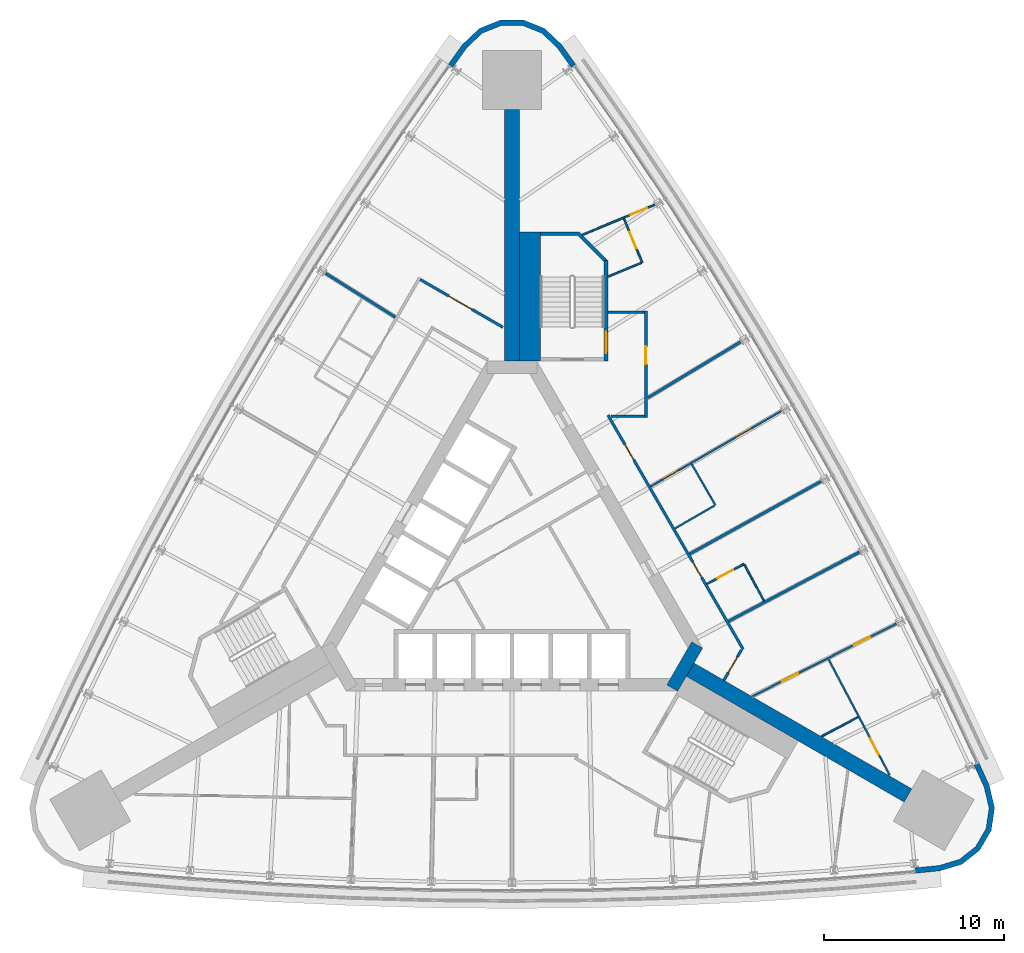
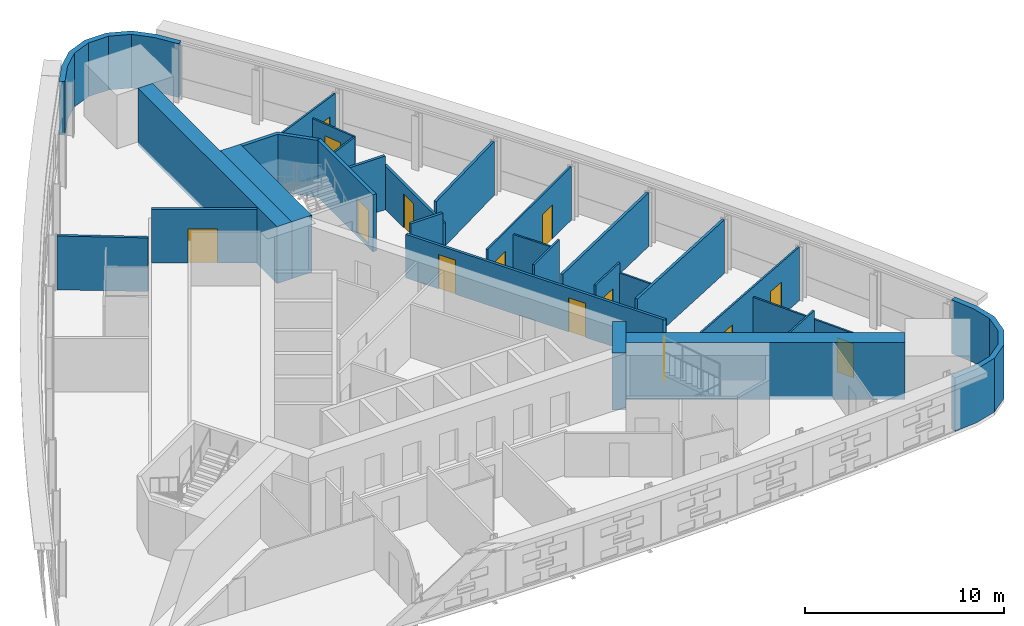
# One storey, part 12 of 15: 29 walls, 14 doors, 14 openings.
"""IFC4 building model written with IfcOpenShell, lengths in metres."""

import ifcopenshell
import ifcopenshell.guid

model = None  # the IFC model being written
_history = None  # IfcOwnerHistory: only IFC2X3 demands one
_inside = {}  # id of a spatial element -> (the spatial element, [elements in it])
_under = {}  # id of a project, library or spatial element -> (it, [spatial elements below it])
_declared = {}  # id of a project -> (the project, [libraries it declares])
_typed = {}  # id of a type object -> (the type object, [elements of that type])
_made_of = {}  # id of a material, layer set ... -> (it, [elements and type objects made of it])


def new_model(schema):
    """Start an empty IFC model of exactly this schema.

    Asked for "IFC4X3", IfcOpenShell would pick the latest addendum, in which some entities
    have other attributes; the version numbers below select the first issue.
    IFC2X3 requires an IfcOwnerHistory on every rooted entity: one is made here for all.
    """
    global model, _history
    if schema == "IFC4X3":
        model = ifcopenshell.file(schema_version=(4, 3, 0, 0))
    else:
        model = ifcopenshell.file(schema=schema)
    _inside.clear()
    _under.clear()
    _declared.clear()
    _typed.clear()
    _made_of.clear()
    _history = None
    if model.schema == "IFC2X3":
        org = make("IfcOrganization", Name="unknown")
        user = make(
            "IfcPersonAndOrganization",
            ThePerson=make("IfcPerson", FamilyName="unknown"),
            TheOrganization=org,
        )
        app = make(
            "IfcApplication",
            ApplicationDeveloper=org,
            Version="unknown",
            ApplicationFullName="unknown",
            ApplicationIdentifier="unknown",
        )
        _history = make(
            "IfcOwnerHistory",
            OwningUser=user,
            OwningApplication=app,
            ChangeAction="ADDED",
            CreationDate=0,
        )
    return model


def make(cls, **values):
    """One entity of the class cls with the attributes given. An attribute that is None is left unset."""
    return model.create_entity(
        cls, **{name: value for name, value in values.items() if value is not None}
    )


def rooted(cls, **values):
    """An entity with a GlobalId (a new one), such as an element, a storey or a relation."""
    return make(cls, GlobalId=ifcopenshell.guid.new(), OwnerHistory=_history, **values)


def si_unit(unit_type, name, prefix=None):
    """IfcSIUnit, for example si_unit("LENGTHUNIT", "METRE", prefix="MILLI")."""
    return make("IfcSIUnit", UnitType=unit_type, Prefix=prefix, Name=name)


def assignment(units):
    """IfcUnitAssignment: the units of a project."""
    return None if units is None else make("IfcUnitAssignment", Units=units)


def point(xyz):
    """IfcCartesianPoint."""
    return None if xyz is None else make("IfcCartesianPoint", Coordinates=xyz)


def direction(xyz):
    """IfcDirection."""
    return None if xyz is None else make("IfcDirection", DirectionRatios=xyz)


def frame(location, z_axis=None, x_axis=None):
    """IfcAxis2Placement3D, a coordinate frame: its origin and axes. An axis left out is left unset."""
    return make(
        "IfcAxis2Placement3D",
        Location=point(location),
        Axis=direction(z_axis),
        RefDirection=direction(x_axis),
    )


def frame_2d(location, x_axis=None):
    """IfcAxis2Placement2D, a coordinate frame in the plane: its origin and x axis."""
    return make(
        "IfcAxis2Placement2D", Location=point(location), RefDirection=direction(x_axis)
    )


def origin():
    """The frame at (0, 0, 0) with its axes left unset."""
    return frame((0.0, 0.0, 0.0))


def place(relative_to, where):
    """IfcLocalPlacement: puts the frame where relative to a parent placement (None: the world)."""
    return make(
        "IfcLocalPlacement", PlacementRelTo=relative_to, RelativePlacement=where
    )


def context(
    kind, dimensions, precision=None, world=None, true_north=None, identifier=None
):
    """IfcGeometricRepresentationContext, for example the 3D "Model" context."""
    return make(
        "IfcGeometricRepresentationContext",
        ContextIdentifier=identifier,
        ContextType=kind,
        CoordinateSpaceDimension=dimensions,
        Precision=precision,
        WorldCoordinateSystem=world,
        TrueNorth=true_north,
    )


def subcontext(parent, identifier, kind, view, scale=None):
    """IfcGeometricRepresentationSubContext, for example "Body" below "Model"."""
    return make(
        "IfcGeometricRepresentationSubContext",
        ContextIdentifier=identifier,
        ContextType=kind,
        ParentContext=parent,
        TargetScale=scale,
        TargetView=view,
    )


def project(units=None, contexts=None):
    """IfcProject with its units and contexts."""
    return rooted(
        "IfcProject",
        Name="project",
        RepresentationContexts=contexts,
        UnitsInContext=assignment(units),
    )


def spatial(cls, under=None, at=None, **own):
    """A site, building, storey or space (cls), placed at a placement, below another one or the project."""
    s = rooted(cls, ObjectPlacement=at, **own)
    if under is not None:
        _under.setdefault(under.id(), (under, []))[1].append(s)
    return s


def polyline(points):
    """IfcPolyline through the points."""
    return make("IfcPolyline", Points=[point(p) for p in points])


def profile(cls, at=None, kind="AREA", **sizes):
    """A parametric profile (cls). Its sizes go by their IFC names, for example OverallWidth=200.0."""
    return make(cls, ProfileType=kind, Position=at, **sizes)


def rectangle(**sizes):
    """IfcRectangleProfileDef."""
    return profile("IfcRectangleProfileDef", **sizes)


def outline(outer, holes=None, kind="AREA"):
    """IfcArbitraryClosedProfileDef: a profile drawn as a closed curve; with holes, ...WithVoids."""
    if holes is None:
        return make("IfcArbitraryClosedProfileDef", ProfileType=kind, OuterCurve=outer)
    return make(
        "IfcArbitraryProfileDefWithVoids",
        ProfileType=kind,
        OuterCurve=outer,
        InnerCurves=holes,
    )


def extrude(swept, where, along, depth):
    """IfcExtrudedAreaSolid: the profile swept, set in the frame where, extruded along a direction by depth."""
    return make(
        "IfcExtrudedAreaSolid",
        SweptArea=swept,
        Position=where,
        ExtrudedDirection=direction(along),
        Depth=depth,
    )


def shape(context_of_items, identifier, shape_type, items):
    """IfcShapeRepresentation: the items that make up one representation, for example the "Body"."""
    return make(
        "IfcShapeRepresentation",
        ContextOfItems=context_of_items,
        RepresentationIdentifier=identifier,
        RepresentationType=shape_type,
        Items=items,
    )


def material(Name=None, Category=None):
    """IfcMaterial."""
    return make("IfcMaterial", Name=Name, Category=Category)


def layer(
    of_material, thickness, ventilated=None, Name=None, Category=None, Priority=None
):
    """IfcMaterialLayer: one layer of a wall or slab, of a material (None: an air gap)."""
    return make(
        "IfcMaterialLayer",
        Material=of_material,
        LayerThickness=thickness,
        IsVentilated=ventilated,
        Name=Name,
        Category=Category,
        Priority=Priority,
    )


def layer_set(layers, Name=None):
    """IfcMaterialLayerSet."""
    return make("IfcMaterialLayerSet", MaterialLayers=layers, LayerSetName=Name)


def made_of(thing, what):
    """Note that an element or type object is made of a material, layer set ...; save() writes the relation."""
    if what is not None:
        _made_of.setdefault(what.id(), (what, []))[1].append(thing)
    return thing


def type_object(cls, material=None, **own):
    """A type object (cls), such as IfcWallType, which elements share."""
    return made_of(rooted(cls, **own), material)


def element(
    cls,
    number,
    at=None,
    inside=None,
    cuts=None,
    type_object=None,
    material=None,
    context=None,
    identifier="Body",
    shape_type=None,
    held_by="IfcProductDefinitionShape",
    body=None,
    shapes=None,
    **own,
):
    """One element of the class cls, such as IfcWall. Its Tag is "e" and its number.

    at: its placement. inside: the storey or other place that contains it. cuts: it is an
    opening in that element (IfcRelVoidsElement). A single representation is given by context,
    identifier, shape_type and body (its items); several are given by shapes. held_by: the class
    of the entity that holds the representations. save() writes the other relations.
    """
    e = rooted(cls, Tag="e%d" % number, ObjectPlacement=at, **own)
    if body is not None:
        shapes = [shape(context, identifier, shape_type, body)]
    if shapes is not None:
        e.Representation = make(held_by, Representations=shapes)
    if inside is not None:
        _inside.setdefault(inside.id(), (inside, []))[1].append(e)
    if cuts is not None:
        rooted(
            "IfcRelVoidsElement", RelatingBuildingElement=cuts, RelatedOpeningElement=e
        )
    if type_object is not None:
        _typed.setdefault(type_object.id(), (type_object, []))[1].append(e)
    return made_of(e, material)


def fill(opening, filler):
    """IfcRelFillsElement: the door or window that sits in an opening."""
    return rooted(
        "IfcRelFillsElement",
        RelatingOpeningElement=opening,
        RelatedBuildingElement=filler,
    )


def aggregate(whole, parts):
    """IfcRelAggregates: a whole, such as a stair, and the parts it consists of."""
    return rooted("IfcRelAggregates", RelatingObject=whole, RelatedObjects=parts)


def save(model, path):
    """Write the relations noted so far, then the file.

    IfcRelAggregates (storeys below a building ...), IfcRelContainedInSpatialStructure (elements
    in a storey), IfcRelDefinesByType, IfcRelAssociatesMaterial and IfcRelDeclares: one each for
    every whole, place, type object, material and project.
    """
    for whole, parts in _under.values():
        aggregate(whole, parts)
    for where, things in _inside.values():
        rooted(
            "IfcRelContainedInSpatialStructure",
            RelatedElements=things,
            RelatingStructure=where,
        )
    for kind, things in _typed.values():
        rooted("IfcRelDefinesByType", RelatedObjects=things, RelatingType=kind)
    for what, things in _made_of.values():
        rooted("IfcRelAssociatesMaterial", RelatedObjects=things, RelatingMaterial=what)
    for by, libraries in _declared.values():
        rooted("IfcRelDeclares", RelatingContext=by, RelatedDefinitions=libraries)
    model.write(path)


model = new_model("IFC4")

# Units and contexts
model_context = context("Model", 3, precision=1e-05, world=origin(), true_north=direction((0.0, 1.0)))
body_context = subcontext(model_context, "Body", "Model", "MODEL_VIEW")
ifc_project = project(units=[si_unit("LENGTHUNIT", "METRE"), si_unit("AREAUNIT", "SQUARE_METRE"), si_unit("VOLUMEUNIT", "CUBIC_METRE"), si_unit("PLANEANGLEUNIT", "RADIAN"), si_unit("MASSUNIT", "GRAM", prefix="KILO")], contexts=[model_context])

# Site, building, storey
site_placement = place(None, origin())
site = spatial("IfcSite", under=ifc_project, at=site_placement, CompositionType="ELEMENT")
building_placement = place(site_placement, origin())
building = spatial("IfcBuilding", under=site, at=building_placement, Name="Noor Cloister Tower", CompositionType="ELEMENT")
storey_placement = place(building_placement, frame((0.0, 0.0, 49.199951171875)))
storey = spatial("IfcBuildingStorey", under=building, at=storey_placement, Name="L12", CompositionType="ELEMENT", Elevation=49.199951171875)

# Walls
ifc_material_1 = material(Name="Concrete C80/95", Category="concrete")
ifc_layer_1 = layer(ifc_material_1, 0.85009765625)
ifc_layer_set_1 = layer_set([ifc_layer_1], Name="Buttress wall 850 C80/95")
wall_type_1 = type_object("IfcWallType", Name="Buttress wall 850 C80/95", PredefinedType="SHEAR", material=ifc_layer_set_1)
wall_1_placement = place(storey_placement, frame((0.0, 11.456298828125, -0.199951171875), z_axis=(0.0, 0.0, 1.0), x_axis=(0.0, 1.0, 0.0)))
element("IfcWall", 1, at=wall_1_placement, inside=storey, type_object=wall_type_1, Name="Buttress wall N L12", PredefinedType="SHEAR", context=body_context, shape_type="SweptSolid", body=[
    extrude(rectangle(XDim=14.013671875, YDim=0.85009765625, at=frame_2d((7.0068359375, 0.0))), origin(), (0.0, 0.0, 1.0), 3.5),
])
wall_2_placement = place(storey_placement, frame((9.921630859375, -5.728271484375, -0.199951171875), z_axis=(0.0, 0.0, 1.0), x_axis=(0.866021666006, -0.500006473966, 0.0)))
element("IfcWall", 2, at=wall_2_placement, inside=storey, type_object=wall_type_1, Name="Buttress wall SE L12", PredefinedType="SHEAR", context=body_context, shape_type="SweptSolid", body=[
    extrude(rectangle(XDim=14.013427734375, YDim=0.85009765625, at=frame_2d((7.0068359375, 0.0))), origin(), (0.0, 0.0, 1.0), 3.5),
])
ifc_material_2 = material(Name="Concrete C80/95", Category="concrete")
ifc_layer_2 = layer(ifc_material_2, 0.699951171875)
ifc_layer_set_2 = layer_set([ifc_layer_2], Name="Core wall 700 C80/95")
wall_type_2 = type_object("IfcWallType", Name="Core wall 700 C80/95", PredefinedType="SHEAR", material=ifc_layer_set_2)
wall_3_placement = place(storey_placement, frame((8.925537109375, -6.753173828125, -0.199951171875), z_axis=(0.0, 0.0, 1.0), x_axis=(0.500042739161, 0.866000726912, 0.0)))
element("IfcWall", 3, at=wall_3_placement, inside=storey, type_object=wall_type_2, Name="Core wall L12 2", PredefinedType="SHEAR", context=body_context, shape_type="SweptSolid", body=[
    extrude(rectangle(XDim=2.771240234375, YDim=0.699951171875, at=frame_2d((1.3857421875, 0.0))), origin(), (0.0, 0.0, 1.0), 3.5),
])

# Wall, openings, doors
ifc_material_3 = material(Name="Gypsum board partition on steel studs, 150 mm", Category="steel")
ifc_layer_3 = layer(ifc_material_3, 0.14990234375)
ifc_layer_set_3 = layer_set([ifc_layer_3], Name="Flat wall 150")
wall_type_3 = type_object("IfcWallType", Name="Flat wall 150", PredefinedType="PARTITIONING", material=ifc_layer_set_3)
wall_4_placement = place(storey_placement, frame((5.34619140625, 8.4462890625, 0.0), z_axis=(0.0, 0.0, 1.0), x_axis=(0.500008781656, -0.866020333634, 0.0)))
wall_4 = element("IfcWall", 4, at=wall_4_placement, inside=storey, type_object=wall_type_3, Name="Flat wall 150 L12 003", PredefinedType="PARTITIONING", context=body_context, shape_type="SweptSolid", body=[
    extrude(rectangle(XDim=15.056884765625, YDim=0.14990234375, at=frame_2d((7.5283203125, 0.0))), origin(), (0.0, 0.0, 1.0), 2.677978515625),
])
opening_1_placement = place(wall_4_placement, frame((9.4462890625, 0.0, 0.0)))
opening_1 = element("IfcOpeningElement", 5, at=opening_1_placement, cuts=wall_4, Name="Opening L12-006", PredefinedType="OPENING", context=body_context, shape_type="SweptSolid", body=[
    extrude(rectangle(XDim=1.0, YDim=2.10009765625, at=frame_2d((0.5, 1.050048828125))), frame((0.0, 0.0849609375, 0.0), z_axis=(0.0, -1.0, 0.0), x_axis=(1.0, 0.0, 0.0)), (0.0, 0.0, 1.0), 0.169921875),
])
opening_2_placement = place(wall_4_placement, frame((1.8916015625, 0.0, 0.0)))
opening_2 = element("IfcOpeningElement", 6, at=opening_2_placement, cuts=wall_4, Name="Opening L12-007", PredefinedType="OPENING", context=body_context, shape_type="SweptSolid", body=[
    extrude(rectangle(XDim=1.0, YDim=2.10009765625, at=frame_2d((0.5, 1.050048828125))), frame((0.0, 0.0849609375, 0.0), z_axis=(0.0, -1.0, 0.0), x_axis=(1.0, 0.0, 0.0)), (0.0, 0.0, 1.0), 0.169921875),
])
ifc_material_4 = material(Name="Timber door leaf with steel frame", Category="steel")
door_type_1 = type_object("IfcDoorType", Name="Assisted living door 1000", OperationType="NOTDEFINED", PredefinedType="DOOR", material=ifc_material_4)
door_1_placement = place(opening_1_placement, origin())
door_1 = element("IfcDoor", 7, at=door_1_placement, inside=storey, type_object=door_type_1, Name="Assisted living door 1000 L12-006", OperationType="SINGLE_SWING_RIGHT", OverallHeight=2.10009765625, OverallWidth=1.0, PredefinedType="DOOR", context=body_context, shape_type="SweptSolid", body=[
    extrude(rectangle(XDim=1.0, YDim=2.10009765625, at=frame_2d((0.5, 1.050048828125))), frame((0.0, 0.02490234375, 0.0), z_axis=(0.0, -1.0, 0.0), x_axis=(1.0, 0.0, 0.0)), (0.0, 0.0, 1.0), 0.050048828125),
])
fill(opening_1, door_1)
ifc_material_5 = material(Name="Timber door leaf with steel frame", Category="steel")
door_type_2 = type_object("IfcDoorType", Name="Flat entrance door 1000 FD60S", OperationType="NOTDEFINED", PredefinedType="DOOR", material=ifc_material_5)
door_2_placement = place(opening_2_placement, origin())
door_2 = element("IfcDoor", 8, at=door_2_placement, inside=storey, type_object=door_type_2, Name="Flat entrance door 1000 L12-007", OperationType="SINGLE_SWING_LEFT", OverallHeight=2.10009765625, OverallWidth=1.0, PredefinedType="DOOR", context=body_context, shape_type="SweptSolid", body=[
    extrude(rectangle(XDim=1.0, YDim=2.10009765625, at=frame_2d((0.5, 1.050048828125))), frame((0.0, 0.02490234375, 0.0), z_axis=(0.0, -1.0, 0.0), x_axis=(1.0, 0.0, 0.0)), (0.0, 0.0, 1.0), 0.050048828125),
])
fill(opening_2, door_2)

# Wall, opening, door
wall_5_placement = place(storey_placement, frame((7.460693359375, 14.25634765625, 0.0), z_axis=(0.0, 0.0, 1.0), x_axis=(0.0, -1.0, 0.0)))
wall_5 = element("IfcWall", 9, at=wall_5_placement, inside=storey, type_object=wall_type_3, Name="Flat wall 150 L12 005", PredefinedType="PARTITIONING", context=body_context, shape_type="SweptSolid", body=[
    extrude(rectangle(XDim=5.949951171875, YDim=0.14990234375, at=frame_2d((2.97509765625, 0.0))), origin(), (0.0, 0.0, 1.0), 2.677978515625),
])
opening_3_placement = place(wall_5_placement, frame((1.970458984375, 0.0, 0.0)))
opening_3 = element("IfcOpeningElement", 10, at=opening_3_placement, cuts=wall_5, Name="Opening L12-010", PredefinedType="OPENING", context=body_context, shape_type="SweptSolid", body=[
    extrude(rectangle(XDim=1.0, YDim=2.10009765625, at=frame_2d((0.5, 1.050048828125))), frame((0.0, 0.0849609375, 0.0), z_axis=(0.0, -1.0, 0.0), x_axis=(1.0, 0.0, 0.0)), (0.0, 0.0, 1.0), 0.169921875),
])
door_3_placement = place(opening_3_placement, origin())
door_3 = element("IfcDoor", 11, at=door_3_placement, inside=storey, type_object=door_type_2, Name="Flat entrance door 1000 L12-010", OperationType="SINGLE_SWING_LEFT", OverallHeight=2.10009765625, OverallWidth=1.0, PredefinedType="DOOR", context=body_context, shape_type="SweptSolid", body=[
    extrude(rectangle(XDim=1.0, YDim=2.10009765625, at=frame_2d((0.5, 1.050048828125))), frame((0.0, 0.02490234375, 0.0), z_axis=(0.0, -1.0, 0.0), x_axis=(1.0, 0.0, 0.0)), (0.0, 0.0, 1.0), 0.050048828125),
])
fill(opening_3, door_3)

wall_6_placement = place(storey_placement, frame((-5.111328125, 16.00341796875, 0.0), z_axis=(0.0, 0.0, 1.0), x_axis=(0.866034245675, -0.499984685083, 0.0)))
wall_6 = element("IfcWall", 12, at=wall_6_placement, inside=storey, type_object=wall_type_3, Name="Flat wall 150 L12 007", PredefinedType="PARTITIONING", context=body_context, shape_type="SweptSolid", body=[
    extrude(rectangle(XDim=5.319091796875, YDim=0.14990234375, at=frame_2d((2.65966796875, 0.0))), origin(), (0.0, 0.0, 1.0), 3.300048828125),
])
opening_4_placement = place(wall_6_placement, frame((1.83447265625, 0.0, 0.0)))
opening_4 = element("IfcOpeningElement", 13, at=opening_4_placement, cuts=wall_6, Name="Opening L12-012", PredefinedType="OPENING", context=body_context, shape_type="SweptSolid", body=[
    extrude(rectangle(XDim=1.5, YDim=2.10009765625, at=frame_2d((0.75, 1.050048828125))), frame((0.0, 0.0849609375, 0.0), z_axis=(0.0, -1.0, 0.0), x_axis=(1.0, 0.0, 0.0)), (0.0, 0.0, 1.0), 0.169921875),
])
ifc_material_6 = material(Name="Timber door leaf with steel frame", Category="steel")
door_type_3 = type_object("IfcDoorType", Name="Double door 1500 FD60", OperationType="NOTDEFINED", PredefinedType="DOOR", material=ifc_material_6)
door_4_placement = place(opening_4_placement, origin())
door_4 = element("IfcDoor", 14, at=door_4_placement, inside=storey, type_object=door_type_3, Name="Double door 1500 L12-012", OperationType="DOUBLE_DOOR_SINGLE_SWING", OverallHeight=2.10009765625, OverallWidth=1.5, PredefinedType="DOOR", context=body_context, shape_type="SweptSolid", body=[
    extrude(rectangle(XDim=1.5, YDim=2.10009765625, at=frame_2d((0.75, 1.050048828125))), frame((0.0, 0.02490234375, 0.0), z_axis=(0.0, -1.0, 0.0), x_axis=(1.0, 0.0, 0.0)), (0.0, 0.0, 1.0), 0.050048828125),
])
fill(opening_4, door_4)

# Wall
wall_7_placement = place(storey_placement, frame((5.335693359375, 14.181396484375, 0.0), z_axis=(0.0, 0.0, 1.0), x_axis=(1.0, 0.0, 0.0)))
element("IfcWall", 15, at=wall_7_placement, inside=storey, type_object=wall_type_3, Name="Flat wall 150 L12 009", PredefinedType="PARTITIONING", context=body_context, shape_type="SweptSolid", body=[
    extrude(rectangle(XDim=2.0498046875, YDim=0.14990234375, at=frame_2d((1.02490234375, 0.0))), origin(), (0.0, 0.0, 1.0), 3.300048828125),
])

# Wall, opening, door
wall_8_placement = place(storey_placement, frame((12.785888671875, -4.616943359375, 0.0), z_axis=(0.0, 0.0, 1.0), x_axis=(-0.500058665202, -0.865991530765, 0.0)))
wall_8 = element("IfcWall", 16, at=wall_8_placement, inside=storey, type_object=wall_type_3, Name="Flat wall 150 L12 011", PredefinedType="PARTITIONING", context=body_context, shape_type="SweptSolid", body=[
    extrude(rectangle(XDim=1.969482421875, YDim=0.14990234375, at=frame_2d((0.98486328125, 0.0))), origin(), (0.0, 0.0, 1.0), 2.677978515625),
])
opening_5_placement = place(wall_8_placement, frame((0.47119140625, 0.0, 0.0)))
opening_5 = element("IfcOpeningElement", 17, at=opening_5_placement, cuts=wall_8, Name="Opening L12-013", PredefinedType="OPENING", context=body_context, shape_type="SweptSolid", body=[
    extrude(rectangle(XDim=1.0, YDim=2.10009765625, at=frame_2d((0.5, 1.050048828125))), frame((0.0, 0.0849609375, 0.0), z_axis=(0.0, -1.0, 0.0), x_axis=(1.0, 0.0, 0.0)), (0.0, 0.0, 1.0), 0.169921875),
])
door_5_placement = place(opening_5_placement, origin())
door_5 = element("IfcDoor", 18, at=door_5_placement, inside=storey, type_object=door_type_2, Name="Flat entrance door 1000 L12-013", OperationType="SINGLE_SWING_LEFT", OverallHeight=2.10009765625, OverallWidth=1.0, PredefinedType="DOOR", context=body_context, shape_type="SweptSolid", body=[
    extrude(rectangle(XDim=1.0, YDim=2.10009765625, at=frame_2d((0.5, 1.050048828125))), frame((0.0, 0.02490234375, 0.0), z_axis=(0.0, -1.0, 0.0), x_axis=(1.0, 0.0, 0.0)), (0.0, 0.0, 1.0), 0.050048828125),
])
fill(opening_5, door_5)

# Walls
wall_9_placement = place(storey_placement, frame((5.513671875, 8.38134765625, 0.0), z_axis=(0.0, 0.0, 1.0), x_axis=(1.0, 0.0, 0.0)))
element("IfcWall", 19, at=wall_9_placement, inside=storey, type_object=wall_type_3, Name="Flat wall 150 L12 013", PredefinedType="PARTITIONING", context=body_context, shape_type="SweptSolid", body=[
    extrude(rectangle(XDim=1.871826171875, YDim=0.14990234375, at=frame_2d((0.93603515625, 0.0))), origin(), (0.0, 0.0, 1.0), 3.300048828125),
])
wall_10_placement = place(storey_placement, frame((17.21484375, 4.760498046875, 0.0), z_axis=(0.0, 0.0, 1.0), x_axis=(-0.875336511681, -0.483514210048, 0.0)))
element("IfcWall", 20, at=wall_10_placement, inside=storey, type_object=wall_type_3, Name="Flat wall 150 L12 016", PredefinedType="PARTITIONING", context=body_context, shape_type="SweptSolid", body=[
    extrude(rectangle(XDim=8.360595703125, YDim=0.14990234375, at=frame_2d((4.18017578125, 0.0))), origin(), (0.0, 0.0, 1.0), 3.300048828125),
])
wall_11_placement = place(storey_placement, frame((19.34619140625, 0.814697265625, 0.0), z_axis=(0.0, 0.0, 1.0), x_axis=(-0.884307928431, -0.466904152599, 0.0)))
element("IfcWall", 21, at=wall_11_placement, inside=storey, type_object=wall_type_3, Name="Flat wall 150 L12 017", PredefinedType="PARTITIONING", context=body_context, shape_type="SweptSolid", body=[
    extrude(rectangle(XDim=8.236572265625, YDim=0.14990234375, at=frame_2d((4.1181640625, 0.0))), origin(), (0.0, 0.0, 1.0), 3.300048828125),
])
wall_12_placement = place(storey_placement, frame((12.730224609375, 12.528076171875, 0.0), z_axis=(0.0, 0.0, 1.0), x_axis=(-0.856413986998, -0.516289727648, 0.0)))
element("IfcWall", 22, at=wall_12_placement, inside=storey, type_object=wall_type_3, Name="Flat wall 150 L12 020", PredefinedType="PARTITIONING", context=body_context, shape_type="SweptSolid", body=[
    extrude(rectangle(XDim=6.020263671875, YDim=0.14990234375, at=frame_2d((3.01025390625, 0.0))), origin(), (0.0, 0.0, 1.0), 3.300048828125),
])
wall_13_placement = place(storey_placement, frame((-10.37841796875, 16.346923828125, 0.0), z_axis=(0.0, 0.0, 1.0), x_axis=(0.846489789966, -0.532404954414, 0.0)))
element("IfcWall", 23, at=wall_13_placement, inside=storey, type_object=wall_type_3, Name="Flat wall 150 L12 022", PredefinedType="PARTITIONING", context=body_context, shape_type="SweptSolid", body=[
    extrude(rectangle(XDim=4.583740234375, YDim=0.14990234375, at=frame_2d((2.2919921875, 0.0))), origin(), (0.0, 0.0, 1.0), 3.300048828125),
])
ifc_material_7 = material(Name="Limestone", Category="masonry")
ifc_layer_4 = layer(ifc_material_7, 0.300048828125)
ifc_layer_set_4 = layer_set([ifc_layer_4], Name="Limestone cladding 300")
wall_type_4 = type_object("IfcWallType", Name="Limestone cladding 300", PredefinedType="NOTDEFINED", material=ifc_layer_set_4)
wall_14_placement = place(storey_placement, origin())
element("IfcWall", 24, at=wall_14_placement, inside=storey, type_object=wall_type_4, Name="Limestone pier cladding L12 2.1", PredefinedType="NOTDEFINED", context=body_context, shape_type="SweptSolid", body=[
    extrude(outline(polyline([(22.466552734375, -17.06787109375), (23.841796875, -16.933349609375), (25.0615234375, -16.56982421875), (26.060546875, -15.781005859375), (26.697021484375, -14.6787109375), (26.880615234375, -13.419189453125), (26.585693359375, -12.180908203125), (26.014404296875, -10.922607421875), (25.741455078125, -11.046630859375), (26.300537109375, -12.278564453125), (26.575439453125, -13.4326171875), (26.408447265625, -14.578369140625), (25.829345703125, -15.5810546875), (24.9208984375, -16.298828125), (23.783935546875, -16.6376953125), (22.437255859375, -16.769287109375), (22.466552734375, -17.06787109375)])), origin(), (0.0, 0.0, 1.0), 3.300048828125),
])
wall_15_placement = place(storey_placement, origin())
element("IfcWall", 25, at=wall_15_placement, inside=storey, type_object=wall_type_4, Name="Limestone pier cladding L12 3.1", PredefinedType="NOTDEFINED", context=body_context, shape_type="SweptSolid", body=[
    extrude(outline(polyline([(3.548095703125, 27.990478515625), (2.743896484375, 29.1142578125), (1.819091796875, 29.98876953125), (0.636474609375, 30.45947265625), (-0.636474609375, 30.45947265625), (-1.819091796875, 29.98876953125), (-2.743896484375, 29.1142578125), (-3.548095703125, 27.990478515625), (-3.303955078125, 27.81591796875), (-2.516845703125, 28.916259765625), (-1.65478515625, 29.7314453125), (-0.578857421875, 30.159423828125), (0.578857421875, 30.159423828125), (1.65478515625, 29.7314453125), (2.516845703125, 28.916259765625), (3.303955078125, 27.81591796875), (3.548095703125, 27.990478515625)])), origin(), (0.0, 0.0, 1.0), 3.300048828125),
])

# Wall, openings, doors
ifc_material_8 = material(Name="Gypsum board partition on steel studs, 100 mm", Category="steel")
ifc_layer_5 = layer(ifc_material_8, 0.10009765625)
ifc_layer_set_5 = layer_set([ifc_layer_5], Name="Partition 100")
wall_type_5 = type_object("IfcWallType", Name="Partition 100", PredefinedType="PARTITIONING", material=ifc_layer_set_5)
wall_16_placement = place(storey_placement, frame((21.40234375, -3.1708984375, 0.0), z_axis=(0.0, 0.0, 1.0), x_axis=(-0.892974760713, -0.450106739263, 0.0)))
wall_16 = element("IfcWall", 26, at=wall_16_placement, inside=storey, type_object=wall_type_5, Name="Partition 100 L12 024", PredefinedType="PARTITIONING", context=body_context, shape_type="SweptSolid", body=[
    extrude(rectangle(XDim=8.971435546875, YDim=0.10009765625, at=frame_2d((4.48583984375, 0.0))), origin(), (0.0, 0.0, 1.0), 3.300048828125),
])
opening_6_placement = place(wall_16_placement, frame((6.125, 0.0, 0.0)))
opening_6 = element("IfcOpeningElement", 27, at=opening_6_placement, cuts=wall_16, Name="Opening L12-015", PredefinedType="OPENING", context=body_context, shape_type="SweptSolid", body=[
    extrude(rectangle(XDim=1.0, YDim=2.10009765625, at=frame_2d((0.5, 1.050048828125))), frame((0.0, 0.06005859375, 0.0), z_axis=(0.0, -1.0, 0.0), x_axis=(1.0, 0.0, 0.0)), (0.0, 0.0, 1.0), 0.1201171875),
])
opening_7_placement = place(wall_16_placement, frame((1.63525390625, 0.0, 0.0)))
opening_7 = element("IfcOpeningElement", 28, at=opening_7_placement, cuts=wall_16, Name="Opening L12-016", PredefinedType="OPENING", context=body_context, shape_type="SweptSolid", body=[
    extrude(rectangle(XDim=1.0, YDim=2.10009765625, at=frame_2d((0.5, 1.050048828125))), frame((0.0, 0.06005859375, 0.0), z_axis=(0.0, -1.0, 0.0), x_axis=(1.0, 0.0, 0.0)), (0.0, 0.0, 1.0), 0.1201171875),
])
ifc_material_9 = material(Name="Timber door leaf with steel frame", Category="steel")
door_type_4 = type_object("IfcDoorType", Name="Interior door 1000", OperationType="NOTDEFINED", PredefinedType="DOOR", material=ifc_material_9)
door_6_placement = place(opening_6_placement, origin())
door_6 = element("IfcDoor", 29, at=door_6_placement, inside=storey, type_object=door_type_4, Name="Interior door 1000 L12-015", OperationType="SINGLE_SWING_RIGHT", OverallHeight=2.10009765625, OverallWidth=1.0, PredefinedType="DOOR", context=body_context, shape_type="SweptSolid", body=[
    extrude(rectangle(XDim=1.0, YDim=2.10009765625, at=frame_2d((0.5, 1.050048828125))), frame((0.0, 0.02490234375, 0.0), z_axis=(0.0, -1.0, 0.0), x_axis=(1.0, 0.0, 0.0)), (0.0, 0.0, 1.0), 0.050048828125),
])
fill(opening_6, door_6)
door_7_placement = place(opening_7_placement, origin())
door_7 = element("IfcDoor", 30, at=door_7_placement, inside=storey, type_object=door_type_4, Name="Interior door 1000 L12-016", OperationType="SINGLE_SWING_LEFT", OverallHeight=2.10009765625, OverallWidth=1.0, PredefinedType="DOOR", context=body_context, shape_type="SweptSolid", body=[
    extrude(rectangle(XDim=1.0, YDim=2.10009765625, at=frame_2d((0.5, 1.050048828125))), frame((0.0, 0.02490234375, 0.0), z_axis=(0.0, -1.0, 0.0), x_axis=(1.0, 0.0, 0.0)), (0.0, 0.0, 1.0), 0.050048828125),
])
fill(opening_7, door_7)

wall_17_placement = place(storey_placement, frame((15.002197265625, 8.67724609375, 0.0), z_axis=(0.0, 0.0, 1.0), x_axis=(-0.866019139798, -0.500010849386, 0.0)))
wall_17 = element("IfcWall", 31, at=wall_17_placement, inside=storey, type_object=wall_type_5, Name="Partition 100 L12 025", PredefinedType="PARTITIONING", context=body_context, shape_type="SweptSolid", body=[
    extrude(rectangle(XDim=8.402587890625, YDim=0.10009765625, at=frame_2d((4.201171875, 0.0))), origin(), (0.0, 0.0, 1.0), 3.300048828125),
])
opening_8_placement = place(wall_17_placement, frame((6.602783203125, 0.0, 0.0)))
opening_8 = element("IfcOpeningElement", 32, at=opening_8_placement, cuts=wall_17, Name="Opening L12-017", PredefinedType="OPENING", context=body_context, shape_type="SweptSolid", body=[
    extrude(rectangle(XDim=1.0, YDim=2.10009765625, at=frame_2d((0.5, 1.050048828125))), frame((0.0, 0.06005859375, 0.0), z_axis=(0.0, -1.0, 0.0), x_axis=(1.0, 0.0, 0.0)), (0.0, 0.0, 1.0), 0.1201171875),
])
opening_9_placement = place(wall_17_placement, frame((1.89990234375, 0.0, 0.0)))
opening_9 = element("IfcOpeningElement", 33, at=opening_9_placement, cuts=wall_17, Name="Opening L12-018", PredefinedType="OPENING", context=body_context, shape_type="SweptSolid", body=[
    extrude(rectangle(XDim=1.0, YDim=2.10009765625, at=frame_2d((0.5, 1.050048828125))), frame((0.0, 0.06005859375, 0.0), z_axis=(0.0, -1.0, 0.0), x_axis=(1.0, 0.0, 0.0)), (0.0, 0.0, 1.0), 0.1201171875),
])
door_8_placement = place(opening_8_placement, origin())
door_8 = element("IfcDoor", 34, at=door_8_placement, inside=storey, type_object=door_type_4, Name="Interior door 1000 L12-017", OperationType="SINGLE_SWING_RIGHT", OverallHeight=2.10009765625, OverallWidth=1.0, PredefinedType="DOOR", context=body_context, shape_type="SweptSolid", body=[
    extrude(rectangle(XDim=1.0, YDim=2.10009765625, at=frame_2d((0.5, 1.050048828125))), frame((0.0, 0.02490234375, 0.0), z_axis=(0.0, -1.0, 0.0), x_axis=(1.0, 0.0, 0.0)), (0.0, 0.0, 1.0), 0.050048828125),
])
fill(opening_8, door_8)
door_9_placement = place(opening_9_placement, origin())
door_9 = element("IfcDoor", 35, at=door_9_placement, inside=storey, type_object=door_type_4, Name="Interior door 1000 L12-018", OperationType="SINGLE_SWING_LEFT", OverallHeight=2.10009765625, OverallWidth=1.0, PredefinedType="DOOR", context=body_context, shape_type="SweptSolid", body=[
    extrude(rectangle(XDim=1.0, YDim=2.10009765625, at=frame_2d((0.5, 1.050048828125))), frame((0.0, 0.02490234375, 0.0), z_axis=(0.0, -1.0, 0.0), x_axis=(1.0, 0.0, 0.0)), (0.0, 0.0, 1.0), 0.050048828125),
])
fill(opening_9, door_9)

# Wall, opening, door
wall_18_placement = place(storey_placement, frame((21.0419921875, -11.60888671875, 0.0), z_axis=(0.0, 0.0, 1.0), x_axis=(-0.466893242862, 0.884313688557, 0.0)))
wall_18 = element("IfcWall", 36, at=wall_18_placement, inside=storey, type_object=wall_type_5, Name="Partition 100 L12 026", PredefinedType="PARTITIONING", context=body_context, shape_type="SweptSolid", body=[
    extrude(rectangle(XDim=7.288818359375, YDim=0.10009765625, at=frame_2d((3.64453125, 0.0))), origin(), (0.0, 0.0, 1.0), 2.751953125),
])
opening_10_placement = place(wall_18_placement, frame((1.3193359375, 0.0, 0.0)))
opening_10 = element("IfcOpeningElement", 37, at=opening_10_placement, cuts=wall_18, Name="Opening L12-019", PredefinedType="OPENING", context=body_context, shape_type="SweptSolid", body=[
    extrude(rectangle(XDim=1.0, YDim=2.10009765625, at=frame_2d((0.5, 1.050048828125))), frame((0.0, 0.06005859375, 0.0), z_axis=(0.0, -1.0, 0.0), x_axis=(1.0, 0.0, 0.0)), (0.0, 0.0, 1.0), 0.1201171875),
])
door_10_placement = place(opening_10_placement, origin())
door_10 = element("IfcDoor", 38, at=door_10_placement, inside=storey, type_object=door_type_4, Name="Interior door 1000 L12-019", OperationType="SINGLE_SWING_LEFT", OverallHeight=2.10009765625, OverallWidth=1.0, PredefinedType="DOOR", context=body_context, shape_type="SweptSolid", body=[
    extrude(rectangle(XDim=1.0, YDim=2.10009765625, at=frame_2d((0.5, 1.050048828125))), frame((0.0, 0.02490234375, 0.0), z_axis=(0.0, -1.0, 0.0), x_axis=(1.0, 0.0, 0.0)), (0.0, 0.0, 1.0), 0.050048828125),
])
fill(opening_10, door_10)

wall_19_placement = place(storey_placement, frame((3.92578125, 18.4931640625, 0.0), z_axis=(0.0, 0.0, 1.0), x_axis=(0.923190161015, 0.384343500798, 0.0)))
wall_19 = element("IfcWall", 39, at=wall_19_placement, inside=storey, type_object=wall_type_5, Name="Partition 100 L12 032", PredefinedType="PARTITIONING", context=body_context, shape_type="SweptSolid", body=[
    extrude(rectangle(XDim=4.3359375, YDim=0.10009765625, at=frame_2d((2.16796875, 0.0))), origin(), (0.0, 0.0, 1.0), 3.300048828125),
])
opening_11_placement = place(wall_19_placement, frame((2.901611328125, 0.0, 0.0)))
opening_11 = element("IfcOpeningElement", 40, at=opening_11_placement, cuts=wall_19, Name="Opening L12-024", PredefinedType="OPENING", context=body_context, shape_type="SweptSolid", body=[
    extrude(rectangle(XDim=1.0, YDim=2.10009765625, at=frame_2d((0.5, 1.050048828125))), frame((0.0, 0.06005859375, 0.0), z_axis=(0.0, -1.0, 0.0), x_axis=(1.0, 0.0, 0.0)), (0.0, 0.0, 1.0), 0.1201171875),
])
door_11_placement = place(opening_11_placement, origin())
door_11 = element("IfcDoor", 41, at=door_11_placement, inside=storey, type_object=door_type_4, Name="Interior door 1000 L12-024", OperationType="SINGLE_SWING_RIGHT", OverallHeight=2.10009765625, OverallWidth=1.0, PredefinedType="DOOR", context=body_context, shape_type="SweptSolid", body=[
    extrude(rectangle(XDim=1.0, YDim=2.10009765625, at=frame_2d((0.5, 1.050048828125))), frame((0.0, 0.02490234375, 0.0), z_axis=(0.0, -1.0, 0.0), x_axis=(1.0, 0.0, 0.0)), (0.0, 0.0, 1.0), 0.050048828125),
])
fill(opening_11, door_11)

wall_20_placement = place(storey_placement, frame((7.252685546875, 16.95361328125, 0.0), z_axis=(0.0, 0.0, 1.0), x_axis=(-0.38437985992, 0.923175023107, 0.0)))
wall_20 = element("IfcWall", 42, at=wall_20_placement, inside=storey, type_object=wall_type_5, Name="Partition 100 L12 033", PredefinedType="PARTITIONING", context=body_context, shape_type="SweptSolid", body=[
    extrude(rectangle(XDim=2.64990234375, YDim=0.10009765625, at=frame_2d((1.324951171875, 0.0))), origin(), (0.0, 0.0, 1.0), 2.822998046875),
])
opening_12_placement = place(wall_20_placement, frame((0.85009765625, 0.0, 0.0)))
opening_12 = element("IfcOpeningElement", 43, at=opening_12_placement, cuts=wall_20, Name="Opening L12-025", PredefinedType="OPENING", context=body_context, shape_type="SweptSolid", body=[
    extrude(rectangle(XDim=1.0, YDim=2.10009765625, at=frame_2d((0.5, 1.050048828125))), frame((0.0, 0.06005859375, 0.0), z_axis=(0.0, -1.0, 0.0), x_axis=(1.0, 0.0, 0.0)), (0.0, 0.0, 1.0), 0.1201171875),
])
door_12_placement = place(opening_12_placement, origin())
door_12 = element("IfcDoor", 44, at=door_12_placement, inside=storey, type_object=door_type_4, Name="Interior door 1000 L12-025", OperationType="SINGLE_SWING_RIGHT", OverallHeight=2.10009765625, OverallWidth=1.0, PredefinedType="DOOR", context=body_context, shape_type="SweptSolid", body=[
    extrude(rectangle(XDim=1.0, YDim=2.10009765625, at=frame_2d((0.5, 1.050048828125))), frame((0.0, 0.02490234375, 0.0), z_axis=(0.0, -1.0, 0.0), x_axis=(1.0, 0.0, 0.0)), (0.0, 0.0, 1.0), 0.050048828125),
])
fill(opening_12, door_12)

# Walls
wall_21_placement = place(storey_placement, frame((10.001953125, 5.732421875, 0.0), z_axis=(0.0, 0.0, 1.0), x_axis=(0.499993606316, -0.866029095148, 0.0)))
element("IfcWall", 45, at=wall_21_placement, inside=storey, type_object=wall_type_5, Name="Partition 100 L12 035", PredefinedType="PARTITIONING", context=body_context, shape_type="SweptSolid", body=[
    extrude(rectangle(XDim=2.64990234375, YDim=0.10009765625, at=frame_2d((1.324951171875, 0.0))), origin(), (0.0, 0.0, 1.0), 2.677978515625),
])
wall_22_placement = place(storey_placement, frame((11.28369140625, 3.41259765625, 0.0), z_axis=(0.0, 0.0, 1.0), x_axis=(-0.866054858364, -0.499948979701, 0.0)))
element("IfcWall", 46, at=wall_22_placement, inside=storey, type_object=wall_type_5, Name="Partition 100 L12 036", PredefinedType="PARTITIONING", context=body_context, shape_type="SweptSolid", body=[
    extrude(rectangle(XDim=2.550048828125, YDim=0.10009765625, at=frame_2d((1.27490234375, 0.0))), origin(), (0.0, 0.0, 1.0), 3.300048828125),
])
wall_23_placement = place(storey_placement, frame((19.275390625, -8.3701171875, 0.0), z_axis=(0.0, 0.0, 1.0), x_axis=(-0.884285648232, -0.466946348451, 0.0)))
element("IfcWall", 47, at=wall_23_placement, inside=storey, type_object=wall_type_5, Name="Partition 100 L12 038", PredefinedType="PARTITIONING", context=body_context, shape_type="SweptSolid", body=[
    extrude(rectangle(XDim=2.28857421875, YDim=0.10009765625, at=frame_2d((1.144287109375, 0.0))), origin(), (0.0, 0.0, 1.0), 3.300048828125),
])

# Wall, opening, door
wall_24_placement = place(storey_placement, frame((12.92626953125, 0.16015625, 0.0), z_axis=(0.0, 0.0, 1.0), x_axis=(-0.879868843932, -0.475216600591, 0.0)))
wall_24 = element("IfcWall", 48, at=wall_24_placement, inside=storey, type_object=wall_type_5, Name="Partition 100 L12 040", PredefinedType="PARTITIONING", context=body_context, shape_type="SweptSolid", body=[
    extrude(rectangle(XDim=2.345703125, YDim=0.10009765625, at=frame_2d((1.1728515625, 0.0))), origin(), (0.0, 0.0, 1.0), 3.300048828125),
])
opening_13_placement = place(wall_24_placement, frame((0.699951171875, 0.0, 0.0)))
opening_13 = element("IfcOpeningElement", 49, at=opening_13_placement, cuts=wall_24, Name="Opening L12-028", PredefinedType="OPENING", context=body_context, shape_type="SweptSolid", body=[
    extrude(rectangle(XDim=1.0, YDim=2.10009765625, at=frame_2d((0.5, 1.050048828125))), frame((0.0, 0.06005859375, 0.0), z_axis=(0.0, -1.0, 0.0), x_axis=(1.0, 0.0, 0.0)), (0.0, 0.0, 1.0), 0.1201171875),
])
door_13_placement = place(opening_13_placement, origin())
door_13 = element("IfcDoor", 50, at=door_13_placement, inside=storey, type_object=door_type_4, Name="Interior door 1000 L12-028", OperationType="SINGLE_SWING_RIGHT", OverallHeight=2.10009765625, OverallWidth=1.0, PredefinedType="DOOR", context=body_context, shape_type="SweptSolid", body=[
    extrude(rectangle(XDim=1.0, YDim=2.10009765625, at=frame_2d((0.5, 1.050048828125))), frame((0.0, 0.02490234375, 0.0), z_axis=(0.0, -1.0, 0.0), x_axis=(1.0, 0.0, 0.0)), (0.0, 0.0, 1.0), 0.050048828125),
])
fill(opening_13, door_13)

# Walls
wall_25_placement = place(storey_placement, frame((14.039794921875, -1.901611328125, 0.0), z_axis=(0.0, 0.0, 1.0), x_axis=(-0.475140672056, 0.879909848654, 0.0)))
element("IfcWall", 51, at=wall_25_placement, inside=storey, type_object=wall_type_5, Name="Partition 100 L12 041", PredefinedType="PARTITIONING", context=body_context, shape_type="SweptSolid", body=[
    extrude(rectangle(XDim=2.293212890625, YDim=0.10009765625, at=frame_2d((1.146484375, 0.0))), origin(), (0.0, 0.0, 1.0), 2.677978515625),
])
wall_26_placement = place(storey_placement, frame((5.35498046875, 16.163330078125, 0.0), z_axis=(0.0, 0.0, 1.0), x_axis=(0.923206524755, 0.38430419286, 0.0)))
element("IfcWall", 52, at=wall_26_placement, inside=storey, type_object=wall_type_5, Name="Partition 100 L12 044", PredefinedType="PARTITIONING", context=body_context, shape_type="SweptSolid", body=[
    extrude(rectangle(XDim=2.005615234375, YDim=0.10009765625, at=frame_2d((1.0029296875, 0.0))), origin(), (0.0, 0.0, 1.0), 2.822998046875),
])
ifc_material_10 = material(Name="Concrete C80/95", Category="concrete")
ifc_layer_6 = layer(ifc_material_10, 1.160888671875)
ifc_layer_set_6 = layer_set([ifc_layer_6], Name="Stair enclosure wall 1161 C80/95")
wall_type_6 = type_object("IfcWallType", Name="Stair enclosure wall 1161 C80/95", PredefinedType="SHEAR", material=ifc_layer_set_6)
wall_27_placement = place(storey_placement, frame((1.00537109375, 11.456298828125, -0.199951171875), z_axis=(0.0, 0.0, 1.0), x_axis=(0.0, 1.0, 0.0)))
element("IfcWall", 53, at=wall_27_placement, inside=storey, type_object=wall_type_6, Name="Stair enclosure wall ST1 L12 riser side", PredefinedType="SHEAR", context=body_context, shape_type="SweptSolid", body=[
    extrude(rectangle(XDim=7.2001953125, YDim=1.16064453125, at=frame_2d((3.60009765625, 0.0))), origin(), (0.0, 0.0, 1.0), 3.5),
])

# Wall, opening, door
ifc_material_11 = material(Name="Concrete C80/95", Category="concrete")
ifc_layer_7 = layer(ifc_material_11, 0.199951171875)
ifc_layer_set_7 = layer_set([ifc_layer_7], Name="Stair enclosure wall 200 C80/95")
wall_type_7 = type_object("IfcWallType", Name="Stair enclosure wall 200 C80/95", PredefinedType="SHEAR", material=ifc_layer_set_7)
wall_28_placement = place(storey_placement, frame((5.235595703125, 11.456298828125, -0.199951171875), z_axis=(0.0, 0.0, 1.0), x_axis=(0.0, 1.0, 0.0)))
wall_28 = element("IfcWall", 54, at=wall_28_placement, inside=storey, type_object=wall_type_7, Name="Stair enclosure wall ST1 L12 outer side", PredefinedType="SHEAR", context=body_context, shape_type="SweptSolid", body=[
    extrude(rectangle(XDim=5.60009765625, YDim=0.199951171875, at=frame_2d((2.800048828125, 0.0))), origin(), (0.0, 0.0, 1.0), 3.5),
])
opening_14_placement = place(wall_28_placement, frame((0.449951171875, 0.0, 0.199951171875)))
opening_14 = element("IfcOpeningElement", 55, at=opening_14_placement, cuts=wall_28, Name="Opening L12-ST1C", PredefinedType="OPENING", context=body_context, shape_type="SweptSolid", body=[
    extrude(rectangle(XDim=1.199951171875, YDim=2.10009765625, at=frame_2d((0.60009765625, 1.050048828125))), frame((0.0, 0.10986328125, 0.0), z_axis=(0.0, -1.0, 0.0), x_axis=(1.0, 0.0, 0.0)), (0.0, 0.0, 1.0), 0.219970703125),
])
ifc_material_12 = material(Name="Steel", Category="steel")
door_type_5 = type_object("IfcDoorType", Name="Stair door 1200 x 2100 FD120", OperationType="SINGLE_SWING_LEFT", PredefinedType="DOOR", material=ifc_material_12)
door_14_placement = place(opening_14_placement, origin())
door_14 = element("IfcDoor", 56, at=door_14_placement, inside=storey, type_object=door_type_5, Name="Stair door ST1 L12", OperationType="SINGLE_SWING_LEFT", OverallHeight=2.10009765625, OverallWidth=1.199951171875, PredefinedType="DOOR", context=body_context, shape_type="SweptSolid", body=[
    extrude(rectangle(XDim=1.199951171875, YDim=2.10009765625, at=frame_2d((0.60009765625, 1.050048828125))), frame((0.0, 0.02490234375, 0.0), z_axis=(0.0, -1.0, 0.0), x_axis=(1.0, 0.0, 0.0)), (0.0, 0.0, 1.0), 0.050048828125),
])
fill(opening_14, door_14)

# Wall
ifc_material_13 = material(Name="Concrete C80/95", Category="concrete")
wall_type_8 = type_object("IfcWallType", Name="Stair far end wall C80/95", PredefinedType="SHEAR", material=ifc_material_13)
wall_29_placement = place(storey_placement, frame((0.0, 0.0, -0.199951171875)))
element("IfcWall", 57, at=wall_29_placement, inside=storey, type_object=wall_type_8, Name="Stair enclosure wall ST1 L12 far end", PredefinedType="SHEAR", context=body_context, shape_type="SweptSolid", body=[
    extrude(outline(polyline([(5.335693359375, 17.056396484375), (3.735595703125, 18.656494140625), (1.585693359375, 18.656494140625), (1.585693359375, 18.456298828125), (3.65283203125, 18.456298828125), (5.135498046875, 16.9736328125), (5.135498046875, 17.056396484375), (5.135498046875, 17.056396484375), (5.135498046875, 17.056396484375), (5.135498046875, 17.056396484375), (5.135498046875, 17.056396484375), (5.135498046875, 17.056396484375), (5.135498046875, 17.056396484375), (5.135498046875, 17.056396484375), (5.135498046875, 17.056396484375), (5.135498046875, 17.056396484375), (5.135498046875, 17.056396484375), (5.135498046875, 17.056396484375), (5.135498046875, 17.056396484375), (5.135498046875, 17.056396484375), (5.135498046875, 17.056396484375), (5.135498046875, 17.056396484375), (5.135498046875, 17.056396484375), (5.335693359375, 17.056396484375)])), origin(), (0.0, 0.0, 1.0), 3.5),
])

save(model, "model.ifc")
